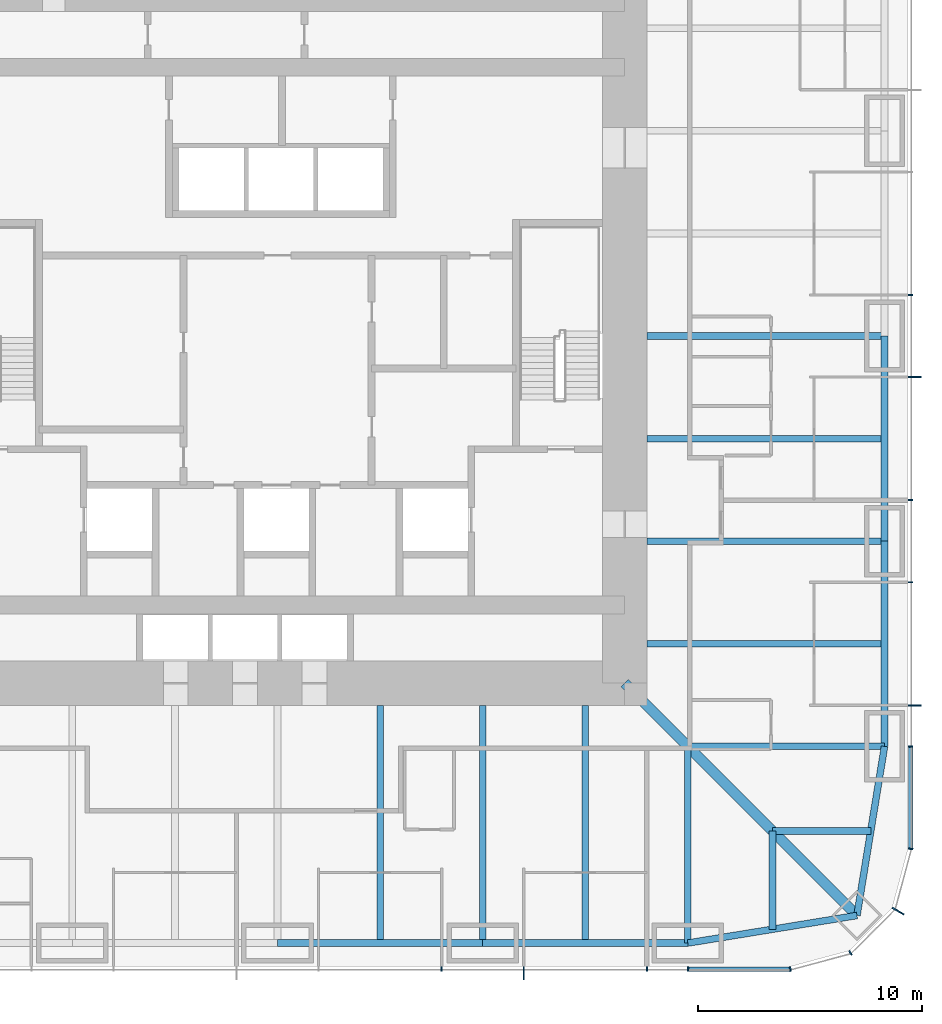
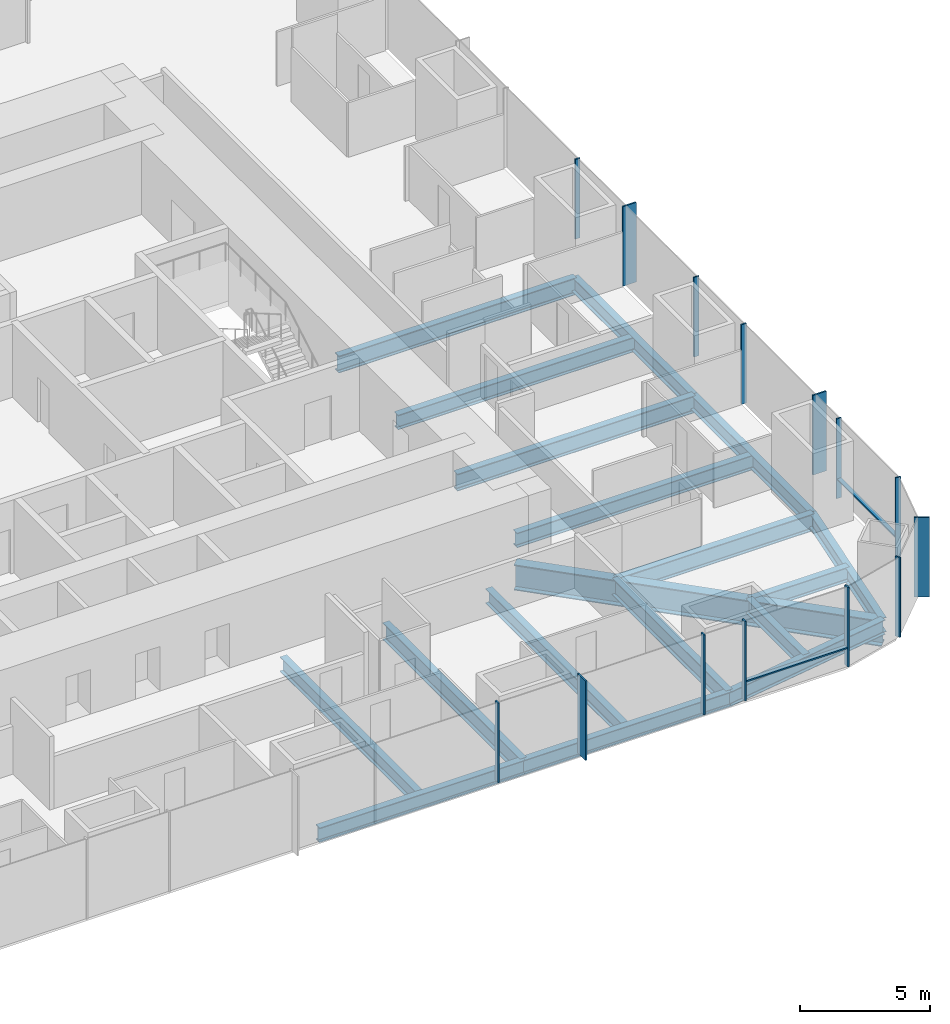
# One storey, part 3 of 12: 18 beams, 16 members, 3 elements without a shape of their own.
"""IFC4 building model written with IfcOpenShell, lengths in metres."""

from ifc_helpers import new_model, si_unit, direction, frame, origin, origin_2d, place, context, subcontext, project, spatial, rectangle, i_section, extrude, material, material_profile, profile_set, type_object, element, aggregate, save


model = new_model("IFC4")

# Units and contexts
model_context = context("Model", 3, precision=1e-05, world=origin(), true_north=direction((0.0, 1.0)))
body_context = subcontext(model_context, "Body", "Model", "MODEL_VIEW")
ifc_project = project(units=[si_unit("LENGTHUNIT", "METRE"), si_unit("AREAUNIT", "SQUARE_METRE"), si_unit("VOLUMEUNIT", "CUBIC_METRE"), si_unit("PLANEANGLEUNIT", "RADIAN"), si_unit("MASSUNIT", "GRAM", prefix="KILO")], contexts=[model_context])

# Site, building, storey
site_placement = place(None, origin())
site = spatial("IfcSite", under=ifc_project, at=site_placement, CompositionType="ELEMENT")
building_placement = place(site_placement, origin())
building = spatial("IfcBuilding", under=site, at=building_placement, Name="Khuree Lantern Residences", CompositionType="ELEMENT")
storey_placement = place(building_placement, frame((0.0, 0.0, 182.25)))
storey = spatial("IfcBuildingStorey", under=building, at=storey_placement, Name="L46", CompositionType="ELEMENT", Elevation=182.25)

# Beams
ifc_material_1 = material(Name="Steel S355", Category="steel")
ifc_material_profile_1 = material_profile(ifc_material_1, i_section(OverallWidth=0.300048828125, OverallDepth=0.68994140625, WebThickness=0.014404296875, FlangeThickness=0.027099609375, FilletRadius=0.027099609375, at=origin_2d()), Name="HE 700 A")
ifc_profile_set_1 = profile_set([ifc_material_profile_1], Name="Steel S355")
beam_type_1 = type_object("IfcBeamType", Name="B-25A SECONDARY BEAM HE 700 A", PredefinedType="BEAM", material=ifc_profile_set_1)
for number, where, z_axis, x_axis, name in (
    (1, (27.10009765625, -4.580078125, -0.594970703125), (-1.0, 0.0, 0.0), (0.0, -1.0, 0.0), "Secondary beam E4"),
    (2, (27.10009765625, -13.739990234375, -0.594970703125), (-1.0, 0.0, 0.0), (0.0, -1.0, 0.0), "Secondary beam E5"),
):
    element("IfcBeam", number, at=place(storey_placement, frame(where, z_axis=z_axis, x_axis=x_axis)), inside=storey, type_object=beam_type_1, Name=name, PredefinedType="BEAM", context=body_context, shape_type="SweptSolid", body=[
        extrude(i_section(OverallWidth=0.300048828125, OverallDepth=0.68994140625, WebThickness=0.014404296875, FlangeThickness=0.027099609375, FilletRadius=0.027099609375, at=origin_2d()), origin(), (0.0, 0.0, 1.0), 10.60009765625),
    ])
for number, where, z_axis, x_axis, name in (
    (3, (26.48486328125, -22.094970703125, -0.594970703125), (-1.0, 0.0, 0.0), (0.0, -1.0, 0.0), "Secondary beam E6"),
    (4, (22.094970703125, -26.48486328125, -0.594970703125), (0.0, 1.0, 0.0), (-1.0, 0.0, 0.0), "Secondary beam S1"),
):
    element("IfcBeam", number, at=place(storey_placement, frame(where, z_axis=z_axis, x_axis=x_axis)), inside=storey, type_object=beam_type_1, Name=name, PredefinedType="BEAM", context=body_context, shape_type="SweptSolid", body=[
        extrude(i_section(OverallWidth=0.300048828125, OverallDepth=0.68994140625, WebThickness=0.014404296875, FlangeThickness=0.027099609375, FilletRadius=0.027099609375, at=origin_2d()), origin(), (0.0, 0.0, 1.0), 4.389892578125),
    ])
for number, where, z_axis, x_axis, name in (
    (5, (13.739990234375, -27.10009765625, -0.594970703125), (0.0, 1.0, 0.0), (-1.0, 0.0, 0.0), "Secondary beam S2"),
    (6, (4.580078125, -27.10009765625, -0.594970703125), (0.0, 1.0, 0.0), (-1.0, 0.0, 0.0), "Secondary beam S3"),
):
    element("IfcBeam", number, at=place(storey_placement, frame(where, z_axis=z_axis, x_axis=x_axis)), inside=storey, type_object=beam_type_1, Name=name, PredefinedType="BEAM", context=body_context, shape_type="SweptSolid", body=[
        extrude(i_section(OverallWidth=0.300048828125, OverallDepth=0.68994140625, WebThickness=0.014404296875, FlangeThickness=0.027099609375, FilletRadius=0.027099609375, at=origin_2d()), origin(), (0.0, 0.0, 1.0), 10.60009765625),
    ])
ifc_material_profile_2 = material_profile(ifc_material_1, i_section(OverallWidth=0.300048828125, OverallDepth=0.68994140625, WebThickness=0.014404296875, FlangeThickness=0.027099609375, FilletRadius=0.027099609375, at=origin_2d()), Name="HE 700 A")
ifc_profile_set_2 = profile_set([ifc_material_profile_2], Name="Steel S355")
beam_type_2 = type_object("IfcBeamType", Name="E-25 SPANDREL BEAM HE 700 A", PredefinedType="SPANDREL", material=ifc_profile_set_2)
beam_1_placement = place(storey_placement, frame((27.10009765625, 0.0, -0.594970703125), z_axis=(0.0, -1.0, 0.0), x_axis=(1.0, 0.0, 0.0)))
element("IfcBeam", 7, at=beam_1_placement, inside=storey, type_object=beam_type_2, Name="Spandrel beam E4", PredefinedType="SPANDREL", context=body_context, shape_type="SweptSolid", body=[
    extrude(i_section(OverallWidth=0.300048828125, OverallDepth=0.68994140625, WebThickness=0.014404296875, FlangeThickness=0.027099609375, FilletRadius=0.027099609375, at=origin_2d()), origin(), (0.0, 0.0, 1.0), 9.159912109375),
])
beam_2_placement = place(storey_placement, frame((27.10009765625, -9.159912109375, -0.594970703125), z_axis=(0.0, -1.0, 0.0), x_axis=(1.0, 0.0, 0.0)))
element("IfcBeam", 8, at=beam_2_placement, inside=storey, type_object=beam_type_2, Name="Spandrel beam E5", PredefinedType="SPANDREL", context=body_context, shape_type="SweptSolid", body=[
    extrude(i_section(OverallWidth=0.300048828125, OverallDepth=0.68994140625, WebThickness=0.014404296875, FlangeThickness=0.027099609375, FilletRadius=0.027099609375, at=origin_2d()), origin(), (0.0, 0.0, 1.0), 9.16015625),
])
for number, where, z_axis, x_axis, name in (
    (9, (27.10009765625, -18.320068359375, -0.594970703125), (-0.160826723833, -0.986982656839, 0.0), (0.986982656839, -0.160826723833, 0.0), "Spandrel beam E6"),
    (10, (25.869873046875, -25.869873046875, -0.594970703125), (-0.986982656839, -0.160826723833, 0.0), (0.160826723833, -0.986982656839, 0.0), "Spandrel beam S1"),
):
    element("IfcBeam", number, at=place(storey_placement, frame(where, z_axis=z_axis, x_axis=x_axis)), inside=storey, type_object=beam_type_2, Name=name, PredefinedType="SPANDREL", context=body_context, shape_type="SweptSolid", body=[
        extrude(i_section(OverallWidth=0.300048828125, OverallDepth=0.68994140625, WebThickness=0.014404296875, FlangeThickness=0.027099609375, FilletRadius=0.027099609375, at=origin_2d()), origin(), (0.0, 0.0, 1.0), 7.6494140625),
    ])
beam_3_placement = place(storey_placement, frame((18.320068359375, -27.10009765625, -0.594970703125), z_axis=(-1.0, 0.0, 0.0), x_axis=(0.0, -1.0, 0.0)))
element("IfcBeam", 11, at=beam_3_placement, inside=storey, type_object=beam_type_2, Name="Spandrel beam S2", PredefinedType="SPANDREL", context=body_context, shape_type="SweptSolid", body=[
    extrude(i_section(OverallWidth=0.300048828125, OverallDepth=0.68994140625, WebThickness=0.014404296875, FlangeThickness=0.027099609375, FilletRadius=0.027099609375, at=origin_2d()), origin(), (0.0, 0.0, 1.0), 9.16015625),
])
beam_4_placement = place(storey_placement, frame((9.159912109375, -27.10009765625, -0.594970703125), z_axis=(-1.0, 0.0, 0.0), x_axis=(0.0, -1.0, 0.0)))
element("IfcBeam", 12, at=beam_4_placement, inside=storey, type_object=beam_type_2, Name="Spandrel beam S3", PredefinedType="SPANDREL", context=body_context, shape_type="SweptSolid", body=[
    extrude(i_section(OverallWidth=0.300048828125, OverallDepth=0.68994140625, WebThickness=0.014404296875, FlangeThickness=0.027099609375, FilletRadius=0.027099609375, at=origin_2d()), origin(), (0.0, 0.0, 1.0), 9.159912109375),
])

# Curtain wall, member
ifc_material_2 = material(Name="Bronze anodised aluminium", Category="aluminium")
curtain_wall_type_1 = type_object("IfcCurtainWallType", Name="CW-T2 TOWER CORNER CURTAIN WALL", PredefinedType="USERDEFINED", material=ifc_material_2)
curtain_wall_1_placement = place(storey_placement, origin())
curtain_wall_1 = element("IfcCurtainWall", 13, at=curtain_wall_1_placement, inside=storey, type_object=curtain_wall_type_1, Name="L46 SOUTH-EAST CORNER CURTAIN WALL", ObjectType="Faceted corner curtain wall", PredefinedType="USERDEFINED")
ifc_material_profile_3 = material_profile(ifc_material_2, rectangle(XDim=0.06494140625, YDim=0.60009765625, at=origin_2d()), Name="F1 65X600")
ifc_profile_set_3 = profile_set([ifc_material_profile_3], Name="Bronze anodised aluminium")
member_type_1 = type_object("IfcMemberType", Name="F1 BRONZE FIN MULLION TOWER 65X600", PredefinedType="MULLION", material=ifc_profile_set_3)
member_1_placement = place(storey_placement, frame((27.70654296875, -25.675048828125, 0.0), z_axis=(0.0, 0.0, 1.0), x_axis=(0.500000026995, 0.866025388199, 0.0)))
member_1 = element("IfcMember", 14, at=member_1_placement, type_object=member_type_1, Name="L46 SOUTH-EAST CORNER FIN MULLION 3", PredefinedType="MULLION", context=body_context, shape_type="SweptSolid", body=[
    extrude(rectangle(XDim=0.06494140625, YDim=0.60009765625, at=origin_2d()), origin(), (0.0, 0.0, 1.0), 3.75),
])

# Curtain wall, members
curtain_wall_type_2 = type_object("IfcCurtainWallType", Name="CW-T1 TOWER FACE CURTAIN WALL", PredefinedType="USERDEFINED", material=ifc_material_2)
curtain_wall_2_placement = place(storey_placement, origin())
curtain_wall_2 = element("IfcCurtainWall", 15, at=curtain_wall_2_placement, inside=storey, type_object=curtain_wall_type_2, Name="L46 EAST FACE CURTAIN WALL", ObjectType="Stick-built curtain wall", PredefinedType="USERDEFINED")
member_2_placement = place(storey_placement, frame((28.449951171875, -16.488037109375, 0.0), z_axis=(0.0, 0.0, 1.0), x_axis=(0.0, 1.0, 0.0)))
member_2 = element("IfcMember", 16, at=member_2_placement, type_object=member_type_1, Name="L46 EAST FACE FIN MULLION 6", PredefinedType="MULLION", context=body_context, shape_type="SweptSolid", body=[
    extrude(rectangle(XDim=0.06494140625, YDim=0.60009765625, at=origin_2d()), origin(), (0.0, 0.0, 1.0), 3.75),
])
member_3_placement = place(storey_placement, frame((28.449951171875, -1.83203125, 0.0), z_axis=(0.0, 0.0, 1.0), x_axis=(0.0, 1.0, 0.0)))
member_3 = element("IfcMember", 17, at=member_3_placement, type_object=member_type_1, Name="L46 EAST FACE FIN MULLION 9", PredefinedType="MULLION", context=body_context, shape_type="SweptSolid", body=[
    extrude(rectangle(XDim=0.06494140625, YDim=0.60009765625, at=origin_2d()), origin(), (0.0, 0.0, 1.0), 3.75),
])

# Curtain wall, member
curtain_wall_3_placement = place(storey_placement, origin())
curtain_wall_3 = element("IfcCurtainWall", 18, at=curtain_wall_3_placement, inside=storey, type_object=curtain_wall_type_2, Name="L46 SOUTH FACE CURTAIN WALL", ObjectType="Stick-built curtain wall", PredefinedType="USERDEFINED")
member_4_placement = place(storey_placement, frame((10.991943359375, -28.449951171875, 0.0), z_axis=(0.0, 0.0, 1.0), x_axis=(1.0, 0.0, 0.0)))
member_4 = element("IfcMember", 19, at=member_4_placement, type_object=member_type_1, Name="L46 SOUTH FACE FIN MULLION 54", PredefinedType="MULLION", context=body_context, shape_type="SweptSolid", body=[
    extrude(rectangle(XDim=0.06494140625, YDim=0.60009765625, at=origin_2d()), origin(), (0.0, 0.0, 1.0), 3.75),
])

# Beams
ifc_material_profile_4 = material_profile(ifc_material_1, i_section(OverallWidth=0.300048828125, OverallDepth=0.800048828125, WebThickness=0.017578125, FlangeThickness=0.032958984375, FilletRadius=0.030029296875, at=origin_2d()), Name="HE 800 B")
ifc_profile_set_4 = profile_set([ifc_material_profile_4], Name="Steel S355")
beam_type_3 = type_object("IfcBeamType", Name="G-25A GIRDER HE 800 B", PredefinedType="BEAM", material=ifc_profile_set_4)
for number, where, z_axis, x_axis, name in (
    (20, (27.10009765625, 0.0, -0.64990234375), (-1.0, 0.0, 0.0), (0.0, -1.0, 0.0), "Girder E3"),
    (21, (27.10009765625, -9.159912109375, -0.64990234375), (-1.0, 0.0, 0.0), (0.0, -1.0, 0.0), "Girder E4"),
):
    element("IfcBeam", number, at=place(storey_placement, frame(where, z_axis=z_axis, x_axis=x_axis)), inside=storey, type_object=beam_type_3, Name=name, PredefinedType="BEAM", context=body_context, shape_type="SweptSolid", body=[
        extrude(i_section(OverallWidth=0.300048828125, OverallDepth=0.800048828125, WebThickness=0.017578125, FlangeThickness=0.032958984375, FilletRadius=0.030029296875, at=origin_2d()), origin(), (0.0, 0.0, 1.0), 10.60009765625),
    ])
for number, where, z_axis, x_axis, name in (
    (22, (27.10009765625, -18.320068359375, -0.64990234375), (-1.0, 0.0, 0.0), (0.0, -1.0, 0.0), "Girder E5"),
    (23, (18.320068359375, -27.10009765625, -0.64990234375), (0.0, 1.0, 0.0), (-1.0, 0.0, 0.0), "Girder S1"),
):
    element("IfcBeam", number, at=place(storey_placement, frame(where, z_axis=z_axis, x_axis=x_axis)), inside=storey, type_object=beam_type_3, Name=name, PredefinedType="BEAM", context=body_context, shape_type="SweptSolid", body=[
        extrude(i_section(OverallWidth=0.300048828125, OverallDepth=0.800048828125, WebThickness=0.017578125, FlangeThickness=0.032958984375, FilletRadius=0.030029296875, at=origin_2d()), origin(), (0.0, 0.0, 1.0), 8.780029296875),
    ])
beam_5_placement = place(storey_placement, frame((9.159912109375, -27.10009765625, -0.64990234375), z_axis=(0.0, 1.0, 0.0), x_axis=(-1.0, 0.0, 0.0)))
element("IfcBeam", 24, at=beam_5_placement, inside=storey, type_object=beam_type_3, Name="Girder S2", PredefinedType="BEAM", context=body_context, shape_type="SweptSolid", body=[
    extrude(i_section(OverallWidth=0.300048828125, OverallDepth=0.800048828125, WebThickness=0.017578125, FlangeThickness=0.032958984375, FilletRadius=0.030029296875, at=origin_2d()), origin(), (0.0, 0.0, 1.0), 10.60009765625),
])
ifc_material_profile_5 = material_profile(ifc_material_1, i_section(OverallWidth=0.449951171875, OverallDepth=1.199951171875, WebThickness=0.02490234375, FlangeThickness=0.044921875, at=origin_2d()), Name="WELDED I 1200X450X25X45")
ifc_profile_set_5 = profile_set([ifc_material_profile_5], Name="Steel S355")
beam_type_4 = type_object("IfcBeamType", Name="GD-25 CORNER GIRDER WELDED I 1200X450X25X45", PredefinedType="BEAM", material=ifc_profile_set_5)
beam_6_placement = place(storey_placement, frame((25.869873046875, -25.869873046875, -0.85009765625), z_axis=(-0.707106781187, 0.707106781187, 0.0), x_axis=(-0.707106781187, -0.707106781187, 0.0)))
element("IfcBeam", 25, at=beam_6_placement, inside=storey, type_object=beam_type_4, Name="Corner girder SE", PredefinedType="BEAM", context=body_context, shape_type="SweptSolid", body=[
    extrude(i_section(OverallWidth=0.449951171875, OverallDepth=1.199951171875, WebThickness=0.02490234375, FlangeThickness=0.044921875, at=origin_2d()), origin(), (0.0, 0.0, 1.0), 14.665283203125),
])

# Member
ifc_material_profile_6 = material_profile(ifc_material_2, rectangle(XDim=0.06494140625, YDim=0.219970703125, at=origin_2d()), Name="M1 65X220")
ifc_profile_set_6 = profile_set([ifc_material_profile_6], Name="Bronze anodised aluminium")
member_type_2 = type_object("IfcMemberType", Name="M1 BRONZE MULLION TOWER 65X220", PredefinedType="MULLION", material=ifc_profile_set_6)
member_5_placement = place(storey_placement, frame((22.89501953125, -28.26171875, 0.0), z_axis=(0.0, 0.0, 1.0), x_axis=(0.991444857305, 0.130526223125, 0.0)))
member_5 = element("IfcMember", 26, at=member_5_placement, type_object=member_type_2, Name="L46 SOUTH-EAST CORNER MULLION 1", PredefinedType="MULLION", context=body_context, shape_type="SweptSolid", body=[
    extrude(rectangle(XDim=0.06494140625, YDim=0.219970703125, at=origin_2d()), origin(), (0.0, 0.0, 1.0), 3.75),
])

member_6_placement = place(storey_placement, frame((25.580078125, -27.5419921875, 0.0), z_axis=(0.0, 0.0, 1.0), x_axis=(0.866025388199, 0.500000026995, 0.0)))
member_6 = element("IfcMember", 27, at=member_6_placement, type_object=member_type_2, Name="L46 SOUTH-EAST CORNER MULLION 2", PredefinedType="MULLION", context=body_context, shape_type="SweptSolid", body=[
    extrude(rectangle(XDim=0.06494140625, YDim=0.219970703125, at=origin_2d()), origin(), (0.0, 0.0, 1.0), 3.75),
])

aggregate(curtain_wall_1, [member_5, member_6, member_1])

member_7_placement = place(storey_placement, frame((28.26171875, -22.89501953125, 0.0), z_axis=(0.0, 0.0, 1.0), x_axis=(0.130526223125, 0.991444857305, 0.0)))
member_7 = element("IfcMember", 28, at=member_7_placement, type_object=member_type_2, Name="L46 EAST FACE MULLION 4", PredefinedType="MULLION", context=body_context, shape_type="SweptSolid", body=[
    extrude(rectangle(XDim=0.06494140625, YDim=0.219970703125, at=origin_2d()), origin(), (0.0, 0.0, 1.0), 3.75),
])

member_8_placement = place(storey_placement, frame((28.260009765625, -18.320068359375, 0.0), z_axis=(0.0, 0.0, 1.0), x_axis=(0.0, 1.0, 0.0)))
member_8 = element("IfcMember", 29, at=member_8_placement, type_object=member_type_2, Name="L46 EAST FACE MULLION 5", PredefinedType="MULLION", context=body_context, shape_type="SweptSolid", body=[
    extrude(rectangle(XDim=0.06494140625, YDim=0.219970703125, at=origin_2d()), origin(), (0.0, 0.0, 1.0), 3.75),
])

member_9_placement = place(storey_placement, frame((28.260009765625, -10.991943359375, 0.0), z_axis=(0.0, 0.0, 1.0), x_axis=(0.0, 1.0, 0.0)))
member_9 = element("IfcMember", 30, at=member_9_placement, type_object=member_type_2, Name="L46 EAST FACE MULLION 7", PredefinedType="MULLION", context=body_context, shape_type="SweptSolid", body=[
    extrude(rectangle(XDim=0.06494140625, YDim=0.219970703125, at=origin_2d()), origin(), (0.0, 0.0, 1.0), 3.75),
])

member_10_placement = place(storey_placement, frame((28.260009765625, -7.327880859375, 0.0), z_axis=(0.0, 0.0, 1.0), x_axis=(0.0, 1.0, 0.0)))
member_10 = element("IfcMember", 31, at=member_10_placement, type_object=member_type_2, Name="L46 EAST FACE MULLION 8", PredefinedType="MULLION", context=body_context, shape_type="SweptSolid", body=[
    extrude(rectangle(XDim=0.06494140625, YDim=0.219970703125, at=origin_2d()), origin(), (0.0, 0.0, 1.0), 3.75),
])

member_11_placement = place(storey_placement, frame((28.260009765625, 1.83203125, 0.0), z_axis=(0.0, 0.0, 1.0), x_axis=(0.0, 1.0, 0.0)))
member_11 = element("IfcMember", 32, at=member_11_placement, type_object=member_type_2, Name="L46 EAST FACE MULLION 10", PredefinedType="MULLION", context=body_context, shape_type="SweptSolid", body=[
    extrude(rectangle(XDim=0.06494140625, YDim=0.219970703125, at=origin_2d()), origin(), (0.0, 0.0, 1.0), 3.75),
])

member_12_placement = place(storey_placement, frame((7.327880859375, -28.260009765625, 0.0), z_axis=(0.0, 0.0, 1.0), x_axis=(1.0, 0.0, 0.0)))
member_12 = element("IfcMember", 33, at=member_12_placement, type_object=member_type_2, Name="L46 SOUTH FACE MULLION 53", PredefinedType="MULLION", context=body_context, shape_type="SweptSolid", body=[
    extrude(rectangle(XDim=0.06494140625, YDim=0.219970703125, at=origin_2d()), origin(), (0.0, 0.0, 1.0), 3.75),
])

member_13_placement = place(storey_placement, frame((16.488037109375, -28.260009765625, 0.0), z_axis=(0.0, 0.0, 1.0), x_axis=(1.0, 0.0, 0.0)))
member_13 = element("IfcMember", 34, at=member_13_placement, type_object=member_type_2, Name="L46 SOUTH FACE MULLION 55", PredefinedType="MULLION", context=body_context, shape_type="SweptSolid", body=[
    extrude(rectangle(XDim=0.06494140625, YDim=0.219970703125, at=origin_2d()), origin(), (0.0, 0.0, 1.0), 3.75),
])

member_14_placement = place(storey_placement, frame((18.320068359375, -28.260009765625, 0.0), z_axis=(0.0, 0.0, 1.0), x_axis=(1.0, 0.0, 0.0)))
member_14 = element("IfcMember", 35, at=member_14_placement, type_object=member_type_2, Name="L46 SOUTH FACE MULLION 56", PredefinedType="MULLION", context=body_context, shape_type="SweptSolid", body=[
    extrude(rectangle(XDim=0.06494140625, YDim=0.219970703125, at=origin_2d()), origin(), (0.0, 0.0, 1.0), 3.75),
])

ifc_material_profile_7 = material_profile(ifc_material_2, rectangle(XDim=0.179931640625, YDim=0.06494140625, at=origin_2d()), Name="T1 180X65")
ifc_profile_set_7 = profile_set([ifc_material_profile_7], Name="Bronze anodised aluminium")
member_type_3 = type_object("IfcMemberType", Name="TRANSOM T1 TOWER 180X65", PredefinedType="USERDEFINED", material=ifc_profile_set_7)
member_15_placement = place(storey_placement, frame((28.27001953125, -22.851318359375, 0.89990234375), z_axis=(0.0, 1.0, 0.0), x_axis=(-1.0, 0.0, 0.0)))
member_15 = element("IfcMember", 36, at=member_15_placement, type_object=member_type_3, Name="L46 EAST FACE TRANSOM 4.1", ObjectType="Transom", PredefinedType="USERDEFINED", context=body_context, shape_type="SweptSolid", body=[
    extrude(rectangle(XDim=0.179931640625, YDim=0.06494140625, at=origin_2d()), origin(), (0.0, 0.0, 1.0), 4.498779296875),
])

aggregate(curtain_wall_2, [member_7, member_8, member_2, member_9, member_10, member_3, member_11, member_15])

member_16_placement = place(storey_placement, frame((18.3525390625, -28.27001953125, 0.89990234375), z_axis=(1.0, 0.0, 0.0), x_axis=(0.0, 1.0, 0.0)))
member_16 = element("IfcMember", 37, at=member_16_placement, type_object=member_type_3, Name="L46 SOUTH FACE TRANSOM 56.1", ObjectType="Transom", PredefinedType="USERDEFINED", context=body_context, shape_type="SweptSolid", body=[
    extrude(rectangle(XDim=0.179931640625, YDim=0.06494140625, at=origin_2d()), origin(), (0.0, 0.0, 1.0), 4.498779296875),
])

aggregate(curtain_wall_3, [member_12, member_4, member_13, member_14, member_16])

save(model, "model.ifc")
